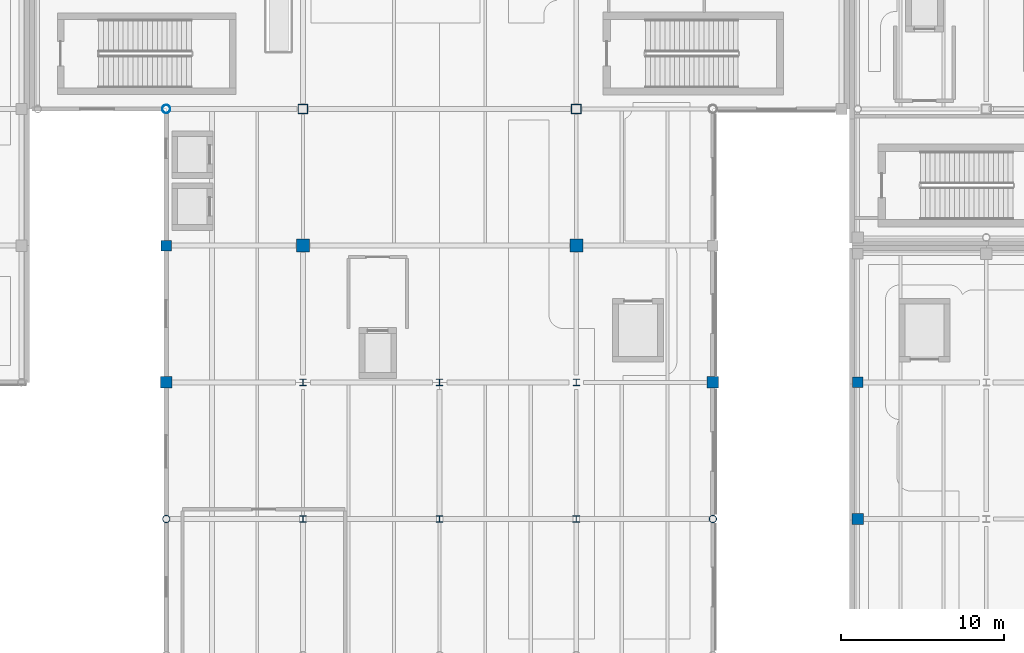
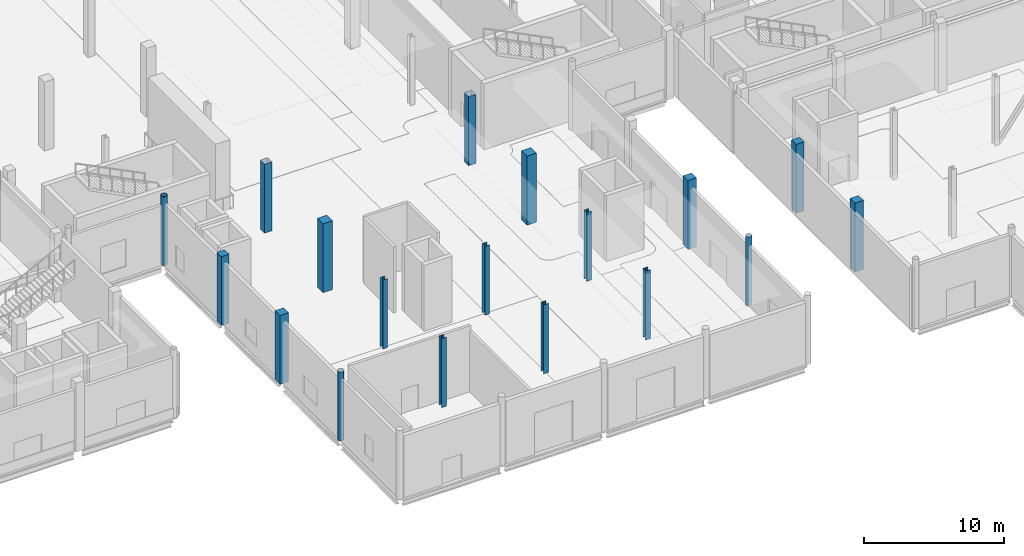
# One storey, part 5 of 85: 18 columns.
"""IFC4 building model written with IfcOpenShell, lengths in metres."""

from ifc_helpers import new_model, si_unit, direction, frame, origin, origin_2d, place, context, subcontext, project, spatial, rectangle, hollow_rectangle, hollow_circle, i_section, extrude, material, material_profile, profile_set, type_object, element, save


model = new_model("IFC4")

# Units and contexts
model_context = context("Model", 3, precision=1e-05, world=origin(), true_north=direction((0.0, 1.0)))
body_context = subcontext(model_context, "Body", "Model", "MODEL_VIEW")
ifc_project = project(units=[si_unit("LENGTHUNIT", "METRE"), si_unit("AREAUNIT", "SQUARE_METRE"), si_unit("VOLUMEUNIT", "CUBIC_METRE"), si_unit("PLANEANGLEUNIT", "RADIAN"), si_unit("MASSUNIT", "GRAM", prefix="KILO"), si_unit("THERMODYNAMICTEMPERATUREUNIT", "KELVIN")], contexts=[model_context])

# Site, building, storey
site_placement = place(None, origin())
site = spatial("IfcSite", under=ifc_project, at=site_placement, CompositionType="ELEMENT")
building_placement = place(site_placement, origin())
building = spatial("IfcBuilding", under=site, at=building_placement, Name="Lustrewick Department Store", CompositionType="ELEMENT")
storey_placement = place(building_placement, origin())
storey = spatial("IfcBuildingStorey", under=building, at=storey_placement, Name="L01", CompositionType="ELEMENT", Elevation=0.0)

# Columns
ifc_material_1 = material(Name="Structural steel Q355C", Category="steel")
ifc_material_profile_1 = material_profile(ifc_material_1, hollow_rectangle(XDim=0.60009765625, YDim=0.60009765625, WallThickness=0.02392578125, at=origin_2d()), Name="BOX 600x600x24")
ifc_profile_set_1 = profile_set([ifc_material_profile_1], Name="Structural steel Q355C")
column_type_1 = type_object("IfcColumnType", Name="C04", PredefinedType="COLUMN", material=ifc_profile_set_1)
for number, where, z_axis, x_axis, name in (
    (1, (75.60009765625, 58.800048828125, 0.0), (0.0, 0.0, 1.0), (1.0, 0.0, 0.0), "L01 V2 Column C04"),
    (2, (92.39990234375, 58.800048828125, 0.0), (0.0, 0.0, 1.0), (1.0, 0.0, 0.0), "L01 V2 Column C04"),
):
    element("IfcColumn", number, at=place(storey_placement, frame(where, z_axis=z_axis, x_axis=x_axis)), inside=storey, type_object=column_type_1, Name=name, PredefinedType="COLUMN", context=body_context, shape_type="SweptSolid", body=[
        extrude(hollow_rectangle(XDim=0.60009765625, YDim=0.60009765625, WallThickness=0.02392578125, at=origin_2d()), origin(), (0.0, 0.0, 1.0), 6.0),
    ])
ifc_material_profile_2 = material_profile(ifc_material_1, i_section(OverallWidth=0.405029296875, OverallDepth=0.4140625, WebThickness=0.01806640625, FlangeThickness=0.028076171875, FilletRadius=0.02197265625, at=origin_2d()), Name="HW 414x405x18x28")
ifc_profile_set_2 = profile_set([ifc_material_profile_2], Name="Structural steel Q355C")
column_type_2 = type_object("IfcColumnType", Name="C10", PredefinedType="COLUMN", material=ifc_profile_set_2)
for number, where, z_axis, x_axis, name in (
    (3, (75.60009765625, 33.60009765625, 0.0), (0.0, 0.0, 1.0), (1.0, 0.0, 0.0), "L01 V2 Column C10"),
    (4, (84.0, 33.60009765625, 0.0), (0.0, 0.0, 1.0), (1.0, 0.0, 0.0), "L01 V2 Column C10"),
    (5, (92.39990234375, 33.60009765625, 0.0), (0.0, 0.0, 1.0), (1.0, 0.0, 0.0), "L01 V2 Column C10"),
):
    element("IfcColumn", number, at=place(storey_placement, frame(where, z_axis=z_axis, x_axis=x_axis)), inside=storey, type_object=column_type_2, Name=name, PredefinedType="COLUMN", context=body_context, shape_type="SweptSolid", body=[
        extrude(i_section(OverallWidth=0.405029296875, OverallDepth=0.4140625, WebThickness=0.01806640625, FlangeThickness=0.028076171875, FilletRadius=0.02197265625, at=origin_2d()), origin(), (0.0, 0.0, 1.0), 6.0),
    ])
ifc_material_2 = material(Name="Structural steel Q355B", Category="steel")
ifc_material_profile_3 = material_profile(ifc_material_2, i_section(OverallWidth=0.39990234375, OverallDepth=0.39990234375, WebThickness=0.012939453125, FlangeThickness=0.02099609375, FilletRadius=0.02197265625, at=origin_2d()), Name="HW 400x400x13x21")
ifc_profile_set_3 = profile_set([ifc_material_profile_3], Name="Structural steel Q355B")
column_type_3 = type_object("IfcColumnType", Name="C11", PredefinedType="COLUMN", material=ifc_profile_set_3)
for number, where, z_axis, x_axis, name in (
    (6, (75.60009765625, 42.0, 0.0), (0.0, 0.0, 1.0), (1.0, 0.0, 0.0), "L01 V2 Column C11"),
    (7, (84.0, 42.0, 0.0), (0.0, 0.0, 1.0), (1.0, 0.0, 0.0), "L01 V2 Column C11"),
    (8, (92.39990234375, 42.0, 0.0), (0.0, 0.0, 1.0), (1.0, 0.0, 0.0), "L01 V2 Column C11"),
):
    element("IfcColumn", number, at=place(storey_placement, frame(where, z_axis=z_axis, x_axis=x_axis)), inside=storey, type_object=column_type_3, Name=name, PredefinedType="COLUMN", context=body_context, shape_type="SweptSolid", body=[
        extrude(i_section(OverallWidth=0.39990234375, OverallDepth=0.39990234375, WebThickness=0.012939453125, FlangeThickness=0.02099609375, FilletRadius=0.02197265625, at=origin_2d()), origin(), (0.0, 0.0, 1.0), 6.0),
    ])
ifc_material_3 = material(Name="Concrete C40", Category="concrete")
ifc_material_profile_4 = material_profile(ifc_material_3, rectangle(XDim=0.800048828125, YDim=0.800048828125, at=origin_2d()), Name="RC 800x800")
ifc_profile_set_4 = profile_set([ifc_material_profile_4], Name="Concrete C40")
column_type_4 = type_object("IfcColumnType", Name="C19", PredefinedType="COLUMN", material=ifc_profile_set_4)
for number, where, z_axis, x_axis, name in (
    (9, (75.60009765625, 50.39990234375, 0.0), (0.0, 0.0, 1.0), (1.0, 0.0, 0.0), "L01 V2 Column C19"),
    (10, (92.39990234375, 50.39990234375, 0.0), (0.0, 0.0, 1.0), (1.0, 0.0, 0.0), "L01 V2 Column C19"),
):
    element("IfcColumn", number, at=place(storey_placement, frame(where, z_axis=z_axis, x_axis=x_axis)), inside=storey, type_object=column_type_4, Name=name, PredefinedType="COLUMN", context=body_context, shape_type="SweptSolid", body=[
        extrude(rectangle(XDim=0.800048828125, YDim=0.800048828125, at=origin_2d()), origin(), (0.0, 0.0, 1.0), 6.0),
    ])
ifc_material_profile_5 = material_profile(ifc_material_1, hollow_circle(Radius=0.25390625, WallThickness=0.01611328125, at=origin_2d()), Name="CHS 508x16")
ifc_profile_set_5 = profile_set([ifc_material_profile_5], Name="Structural steel Q355C")
column_type_5 = type_object("IfcColumnType", Name="CE01", PredefinedType="COLUMN", material=ifc_profile_set_5)
column_placement = place(storey_placement, frame((67.199951171875, 58.800048828125, 0.0), z_axis=(0.0, 0.0, 1.0), x_axis=(1.0, 0.0, 0.0)))
element("IfcColumn", 11, at=column_placement, inside=storey, type_object=column_type_5, Name="L01 V2 Column CE01", PredefinedType="COLUMN", context=body_context, shape_type="SweptSolid", body=[
    extrude(hollow_circle(Radius=0.25390625, WallThickness=0.01611328125, at=origin_2d()), origin(), (0.0, 0.0, 1.0), 6.0),
])
ifc_material_profile_6 = material_profile(ifc_material_1, hollow_circle(Radius=0.228515625, WallThickness=0.01611328125, at=origin_2d()), Name="CHS 457x16")
ifc_profile_set_6 = profile_set([ifc_material_profile_6], Name="Structural steel Q355C")
column_type_6 = type_object("IfcColumnType", Name="CE02", PredefinedType="COLUMN", material=ifc_profile_set_6)
for number, where, z_axis, x_axis, name in (
    (12, (67.199951171875, 33.60009765625, 0.0), (0.0, 0.0, 1.0), (1.0, 0.0, 0.0), "L01 V2 Column CE02"),
    (13, (100.800048828125, 33.60009765625, 0.0), (0.0, 0.0, 1.0), (1.0, 0.0, 0.0), "L01 V2 Column CE02"),
):
    element("IfcColumn", number, at=place(storey_placement, frame(where, z_axis=z_axis, x_axis=x_axis)), inside=storey, type_object=column_type_6, Name=name, PredefinedType="COLUMN", context=body_context, shape_type="SweptSolid", body=[
        extrude(hollow_circle(Radius=0.228515625, WallThickness=0.01611328125, at=origin_2d()), origin(), (0.0, 0.0, 1.0), 6.0),
    ])
ifc_material_profile_7 = material_profile(ifc_material_3, rectangle(XDim=0.699951171875, YDim=0.699951171875, at=origin_2d()), Name="RC 700x700")
ifc_profile_set_7 = profile_set([ifc_material_profile_7], Name="Concrete C40")
column_type_7 = type_object("IfcColumnType", Name="CE06", PredefinedType="COLUMN", material=ifc_profile_set_7)
for number, where, z_axis, x_axis, name in (
    (14, (67.199951171875, 42.0, 0.0), (0.0, 0.0, 1.0), (1.0, 0.0, 0.0), "L01 V2 Column CE06"),
    (15, (100.800048828125, 42.0, 0.0), (0.0, 0.0, 1.0), (1.0, 0.0, 0.0), "L01 V2 Column CE06"),
    (16, (109.699951171875, 33.60009765625, 0.0), (0.0, 0.0, 1.0), (1.0, 0.0, 0.0), "L01 V3 Column CE06"),
):
    element("IfcColumn", number, at=place(storey_placement, frame(where, z_axis=z_axis, x_axis=x_axis)), inside=storey, type_object=column_type_7, Name=name, PredefinedType="COLUMN", context=body_context, shape_type="SweptSolid", body=[
        extrude(rectangle(XDim=0.699951171875, YDim=0.699951171875, at=origin_2d()), origin(), (0.0, 0.0, 1.0), 6.0),
    ])
ifc_material_profile_8 = material_profile(ifc_material_3, rectangle(XDim=0.64990234375, YDim=0.64990234375, at=origin_2d()), Name="RC 650x650")
ifc_profile_set_8 = profile_set([ifc_material_profile_8], Name="Concrete C40")
column_type_8 = type_object("IfcColumnType", Name="CE07", PredefinedType="COLUMN", material=ifc_profile_set_8)
for number, where, z_axis, x_axis, name in (
    (17, (67.199951171875, 50.39990234375, 0.0), (0.0, 0.0, 1.0), (1.0, 0.0, 0.0), "L01 V2 Column CE07"),
    (18, (109.699951171875, 42.0, 0.0), (0.0, 0.0, 1.0), (1.0, 0.0, 0.0), "L01 V3 Column CE07"),
):
    element("IfcColumn", number, at=place(storey_placement, frame(where, z_axis=z_axis, x_axis=x_axis)), inside=storey, type_object=column_type_8, Name=name, PredefinedType="COLUMN", context=body_context, shape_type="SweptSolid", body=[
        extrude(rectangle(XDim=0.64990234375, YDim=0.64990234375, at=origin_2d()), origin(), (0.0, 0.0, 1.0), 6.0),
    ])

save(model, "model.ifc")
